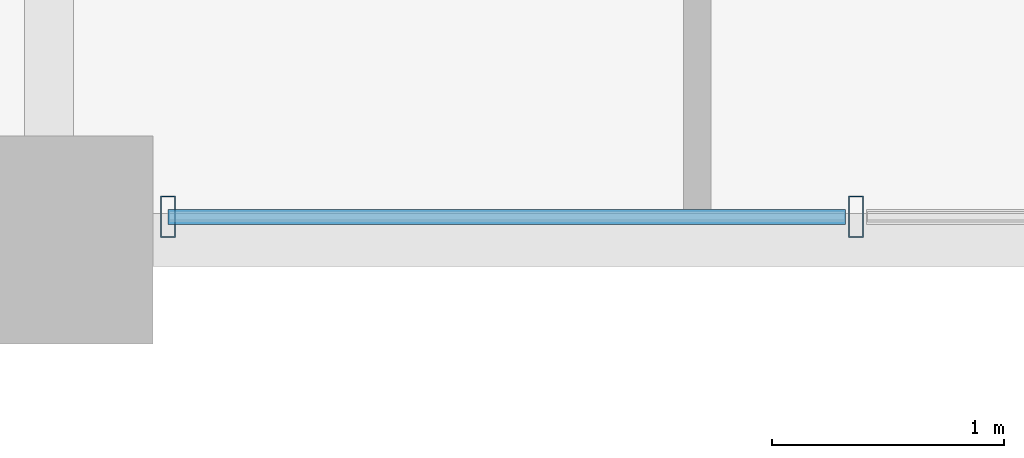
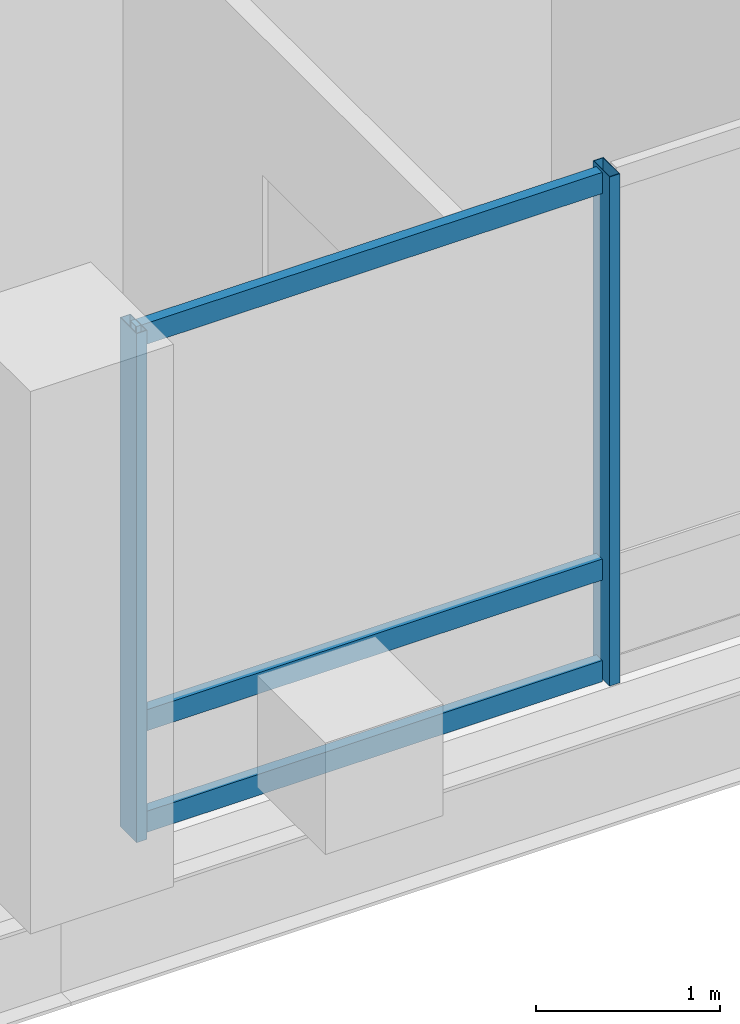
# One storey, part 2 of 16: 5 members, 1 element without a shape of its own.
"""IFC4 building model written with IfcOpenShell, lengths in metres."""

from ifc_helpers import new_model, si_unit, direction, frame, origin, origin_2d, place, context, subcontext, project, spatial, hollow_rectangle, extrude, material, layer, layer_set, material_profile, profile_set, type_object, element, aggregate, save


model = new_model("IFC4")

# Units and contexts
model_context = context("Model", 3, precision=1e-05, world=origin(), true_north=direction((0.0, 1.0)))
body_context = subcontext(model_context, "Body", "Model", "MODEL_VIEW")
ifc_project = project(units=[si_unit("LENGTHUNIT", "METRE"), si_unit("AREAUNIT", "SQUARE_METRE"), si_unit("VOLUMEUNIT", "CUBIC_METRE"), si_unit("PLANEANGLEUNIT", "RADIAN"), si_unit("MASSUNIT", "GRAM", prefix="KILO")], contexts=[model_context])

# Site, building, storey
site_placement = place(None, origin())
site = spatial("IfcSite", under=ifc_project, at=site_placement, CompositionType="ELEMENT")
building_placement = place(site_placement, origin())
building = spatial("IfcBuilding", under=site, at=building_placement, Name="Barlavira Tower and Art Museum", CompositionType="ELEMENT")
storey_placement = place(building_placement, frame((0.0, 0.0, 265.5)))
storey = spatial("IfcBuildingStorey", under=building, at=storey_placement, Name="L69", CompositionType="ELEMENT", Elevation=265.5)

# Curtain wall, members
ifc_material_1 = material(Name="Low-iron coastal laminated glass", Category="glass")
ifc_layer = layer(ifc_material_1, 0.2099609375, Name="Low-iron coastal laminated glass")
ifc_layer_set = layer_set([ifc_layer], Name="Low-iron coastal laminated glass")
curtain_wall_type = type_object("IfcCurtainWallType", Name="Pale-Metal Unitised Curtain Wall Zone 4", PredefinedType="NOTDEFINED", material=ifc_layer_set)
curtain_wall_placement = place(storey_placement, origin())
curtain_wall = element("IfcCurtainWall", 1, at=curtain_wall_placement, inside=storey, type_object=curtain_wall_type, Name="L69 Curtain Wall CW4-L69-S-B2", PredefinedType="NOTDEFINED")
ifc_material_2 = material(Name="Pale anodised aluminium", Category="aluminium")
ifc_material_profile_1 = material_profile(ifc_material_2, hollow_rectangle(XDim=0.06494140625, YDim=0.179931640625, WallThickness=0.00390625, at=origin_2d()), Name="ALU-MULL 65x180x4")
ifc_profile_set_1 = profile_set([ifc_material_profile_1], Name="Pale anodised aluminium")
member_type_1 = type_object("IfcMemberType", Name="Curtain Wall Pale-Metal Mullion 65x180", PredefinedType="MULLION", material=ifc_profile_set_1)
member_1_placement = place(storey_placement, frame((-5.985107421875, -19.89990234375, 0.0), z_axis=(0.0, 0.0, 1.0), x_axis=(1.0, 0.0, 0.0)))
member_1 = element("IfcMember", 2, at=member_1_placement, type_object=member_type_1, Name="CW4-L69-S-B2 Mullion 0", PredefinedType="MULLION", context=body_context, shape_type="SweptSolid", body=[
    extrude(hollow_rectangle(XDim=0.06494140625, YDim=0.179931640625, WallThickness=0.00390625, at=origin_2d()), origin(), (0.0, 0.0, 1.0), 3.3798828125),
])
member_2_placement = place(storey_placement, frame((-3.014892578125, -19.89990234375, 0.0), z_axis=(0.0, 0.0, 1.0), x_axis=(1.0, 0.0, 0.0)))
member_2 = element("IfcMember", 3, at=member_2_placement, type_object=member_type_1, Name="CW4-L69-S-B2 Mullion 1", PredefinedType="MULLION", context=body_context, shape_type="SweptSolid", body=[
    extrude(hollow_rectangle(XDim=0.06494140625, YDim=0.179931640625, WallThickness=0.00390625, at=origin_2d()), origin(), (0.0, 0.0, 1.0), 3.3798828125),
])
ifc_material_profile_2 = material_profile(ifc_material_2, hollow_rectangle(XDim=0.06494140625, YDim=0.139892578125, WallThickness=0.00390625, at=origin_2d()), Name="ALU-TRAN 65x140x4")
ifc_profile_set_2 = profile_set([ifc_material_profile_2], Name="Pale anodised aluminium")
member_type_2 = type_object("IfcMemberType", Name="Curtain Wall Pale-Metal Transom 65x140", PredefinedType="USERDEFINED", material=ifc_profile_set_2)
member_3_placement = place(storey_placement, frame((-5.985107421875, -19.89990234375, 0.070068359375), z_axis=(1.0, 0.0, 0.0), x_axis=(0.0, 1.0, 0.0)))
member_3 = element("IfcMember", 4, at=member_3_placement, type_object=member_type_2, Name="CW4-L69-S-B2 Transom 0.1", ObjectType="TRANSOM", PredefinedType="USERDEFINED", context=body_context, shape_type="SweptSolid", body=[
    extrude(hollow_rectangle(XDim=0.06494140625, YDim=0.139892578125, WallThickness=0.00390625, at=origin_2d()), origin(), (0.0, 0.0, 1.0), 2.925048828125),
])
member_4_placement = place(storey_placement, frame((-5.985107421875, -19.89990234375, 0.743896484375), z_axis=(1.0, 0.0, 0.0), x_axis=(0.0, 1.0, 0.0)))
member_4 = element("IfcMember", 5, at=member_4_placement, type_object=member_type_2, Name="CW4-L69-S-B2 Transom 0.2", ObjectType="TRANSOM", PredefinedType="USERDEFINED", context=body_context, shape_type="SweptSolid", body=[
    extrude(hollow_rectangle(XDim=0.06494140625, YDim=0.139892578125, WallThickness=0.00390625, at=origin_2d()), origin(), (0.0, 0.0, 1.0), 2.925048828125),
])
member_5_placement = place(storey_placement, frame((-5.985107421875, -19.89990234375, 3.31005859375), z_axis=(1.0, 0.0, 0.0), x_axis=(0.0, 1.0, 0.0)))
member_5 = element("IfcMember", 6, at=member_5_placement, type_object=member_type_2, Name="CW4-L69-S-B2 Transom 0.3", ObjectType="TRANSOM", PredefinedType="USERDEFINED", context=body_context, shape_type="SweptSolid", body=[
    extrude(hollow_rectangle(XDim=0.06494140625, YDim=0.139892578125, WallThickness=0.00390625, at=origin_2d()), origin(), (0.0, 0.0, 1.0), 2.925048828125),
])
aggregate(curtain_wall, [member_1, member_2, member_3, member_4, member_5])

save(model, "model.ifc")
